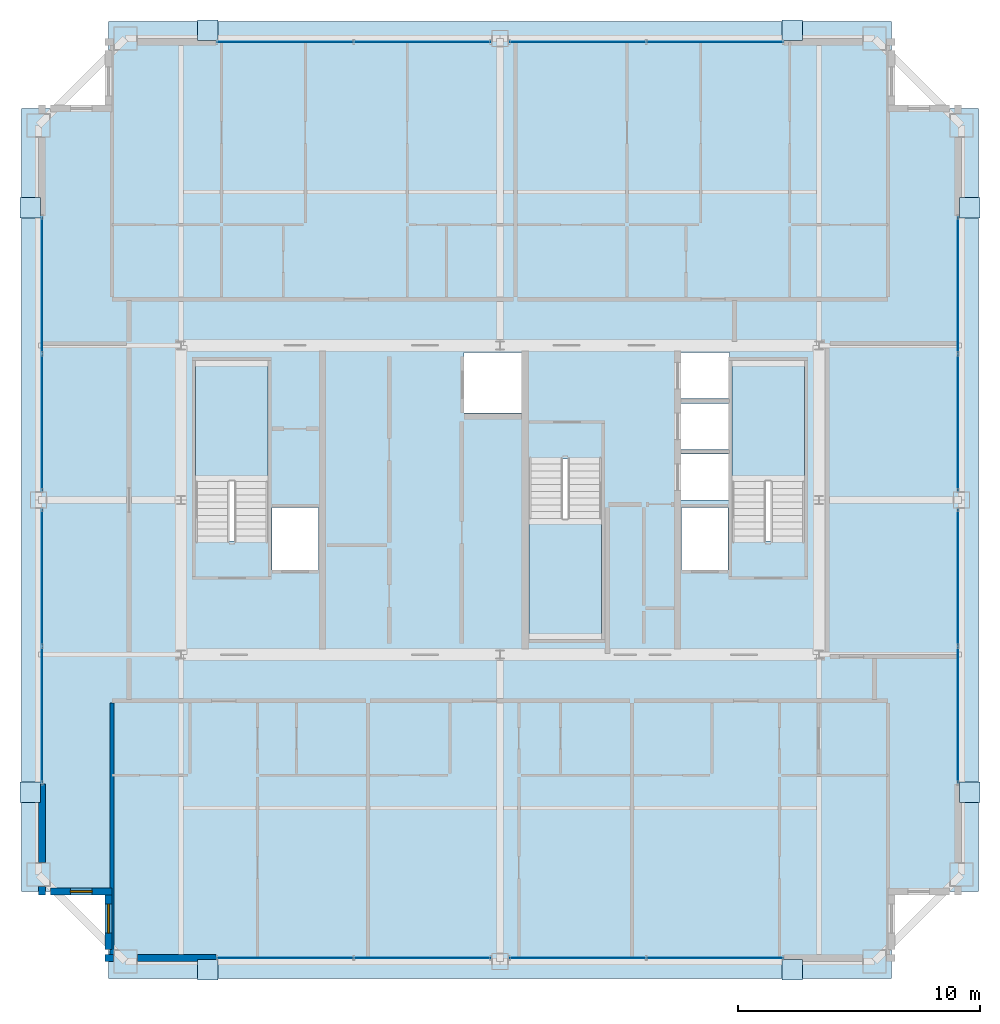
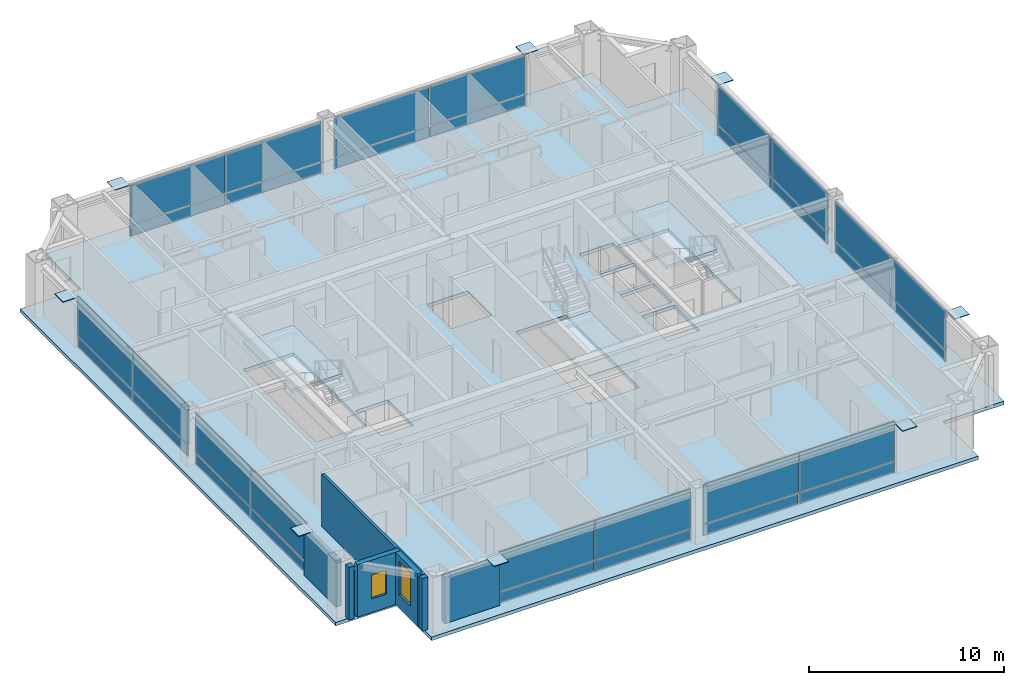
# One storey, part 29 of 35: 40 plates, 7 walls, 4 slabs, 2 windows, 2 openings, 11 elements without a shape of their own.
"""IFC4 building model written with IfcOpenShell, lengths in metres."""

from ifc_helpers import new_model, si_unit, direction, frame, frame_2d, origin, origin_2d, place, context, subcontext, project, spatial, polyline, rectangle, outline, extrude, source, transform, mapped, material, layer, layer_set, type_object, element, fill, aggregate, save


model = new_model("IFC4")

# Units and contexts
model_context = context("Model", 3, precision=1e-05, world=origin(), true_north=direction((0.0, 1.0)))
body_context = subcontext(model_context, "Body", "Model", "MODEL_VIEW")
ifc_project = project(units=[si_unit("LENGTHUNIT", "METRE"), si_unit("AREAUNIT", "SQUARE_METRE"), si_unit("VOLUMEUNIT", "CUBIC_METRE"), si_unit("PLANEANGLEUNIT", "RADIAN"), si_unit("MASSUNIT", "GRAM", prefix="KILO"), si_unit("THERMODYNAMICTEMPERATUREUNIT", "KELVIN"), si_unit("POWERUNIT", "WATT")], contexts=[model_context])

# Site, building, storey
site_placement = place(None, origin())
site = spatial("IfcSite", under=ifc_project, at=site_placement, CompositionType="ELEMENT")
building_placement = place(site_placement, origin())
building = spatial("IfcBuilding", under=site, at=building_placement, Name="Yuzanri Waterfront Tower", CompositionType="ELEMENT")
storey_placement = place(building_placement, frame((0.0, 0.0, 289.10009765625)))
storey = spatial("IfcBuildingStorey", under=building, at=storey_placement, Name="L77", CompositionType="ELEMENT", Elevation=289.10009765625)

# Stair, slab
ifc_material_1 = material(Name="Concrete C40", Category="concrete")
stair_type = type_object("IfcStairType", Name="Concrete C40 Core Dogleg Exit Stair", PredefinedType="HALF_TURN_STAIR", material=ifc_material_1)
stair_1_placement = place(storey_placement, origin())
stair_1 = element("IfcStair", 1, at=stair_1_placement, inside=storey, type_object=stair_type, Name="L77 Smoke-Proof Core Stair ST-01", PredefinedType="HALF_TURN_STAIR")
ifc_material_2 = material(Name="Concrete C40", Category="concrete")
ifc_layer_1 = layer(ifc_material_2, 0.179931640625)
ifc_layer_set_1 = layer_set([ifc_layer_1], Name="Concrete C40")
slab_type_1 = type_object("IfcSlabType", Name="Concrete C40 Stair Half-Landing Slab 180", PredefinedType="LANDING", material=ifc_layer_set_1)
slab_1_placement = place(storey_placement, frame((0.0, 0.0, 1.5498046875)))
slab_1 = element("IfcSlab", 2, at=slab_1_placement, type_object=slab_type_1, Name="ST-01 landing 1", PredefinedType="LANDING", context=body_context, shape_type="SweptSolid", body=[
    extrude(outline(polyline([(27.39990234375, 26.56005859375), (27.39990234375, 31.580078125), (24.39990234375, 31.580078125), (24.39990234375, 26.56005859375), (27.39990234375, 26.56005859375)])), origin(), (0.0, 0.0, 1.0), 0.2001953125),
])
aggregate(stair_1, [slab_1])

stair_2_placement = place(storey_placement, origin())
stair_2 = element("IfcStair", 3, at=stair_2_placement, inside=storey, type_object=stair_type, Name="L77 Smoke-Proof Core Stair ST-02", PredefinedType="HALF_TURN_STAIR")
slab_2_placement = place(storey_placement, frame((0.0, 0.0, 1.5498046875)))
slab_2 = element("IfcSlab", 4, at=slab_2_placement, type_object=slab_type_1, Name="ST-02 landing 1", PredefinedType="LANDING", context=body_context, shape_type="SweptSolid", body=[
    extrude(outline(polyline([(49.60009765625, 26.56005859375), (49.60009765625, 31.580078125), (46.60009765625, 31.580078125), (46.60009765625, 26.56005859375), (49.60009765625, 26.56005859375)])), origin(), (0.0, 0.0, 1.0), 0.2001953125),
])
aggregate(stair_2, [slab_2])

stair_3_placement = place(storey_placement, origin())
stair_3 = element("IfcStair", 5, at=stair_3_placement, inside=storey, type_object=stair_type, Name="L77 Smoke-Proof Core Stair ST-03", PredefinedType="HALF_TURN_STAIR")
slab_3_placement = place(storey_placement, frame((0.0, 0.0, 1.5498046875)))
slab_3 = element("IfcSlab", 6, at=slab_3_placement, type_object=slab_type_1, Name="ST-03 landing 1", PredefinedType="LANDING", context=body_context, shape_type="SweptSolid", body=[
    extrude(outline(polyline([(38.199951171875, 25.0400390625), (38.199951171875, 20.02001953125), (41.199951171875, 20.02001953125), (41.199951171875, 25.0400390625), (38.199951171875, 25.0400390625)])), origin(), (0.0, 0.0, 1.0), 0.2001953125),
])
aggregate(stair_3, [slab_3])

# Slab
ifc_material_3 = material(Name="Concrete C40", Category="concrete")
ifc_layer_2 = layer(ifc_material_3, 0.219970703125)
ifc_layer_set_2 = layer_set([ifc_layer_2], Name="Concrete C40")
slab_type_2 = type_object("IfcSlabType", Name="Concrete C40 Tower Typical Structural Floor Slab 220", PredefinedType="FLOOR", material=ifc_layer_set_2)
slab_4_placement = place(storey_placement, frame((0.0, 0.0, -0.22021484375)))
element("IfcSlab", 7, at=slab_4_placement, inside=storey, type_object=slab_type_2, Name="L77 Main Structural Floor Slab", PredefinedType="FLOOR", context=body_context, shape_type="SweptSolid", body=[
    extrude(outline(polyline([(20.800048828125, 6.0), (53.199951171875, 6.0), (53.199951171875, 9.60009765625), (56.800048828125, 9.60009765625), (56.800048828125, 42.0), (53.199951171875, 42.0), (53.199951171875, 45.60009765625), (20.800048828125, 45.60009765625), (20.800048828125, 42.0), (17.199951171875, 42.0), (17.199951171875, 9.60009765625), (20.800048828125, 9.60009765625), (20.800048828125, 6.0)]), holes=[polyline([(27.39990234375, 24.10009765625), (27.39990234375, 31.580078125), (24.39990234375, 31.580078125), (24.39990234375, 24.10009765625), (27.39990234375, 24.10009765625)]), polyline([(49.60009765625, 24.10009765625), (49.60009765625, 31.580078125), (46.60009765625, 31.580078125), (46.60009765625, 24.10009765625), (49.60009765625, 24.10009765625)]), polyline([(38.199951171875, 27.5), (38.199951171875, 20.02001953125), (41.199951171875, 20.02001953125), (41.199951171875, 27.5), (38.199951171875, 27.5)]), polyline([(27.56005859375, 22.89990234375), (29.47998046875, 22.89990234375), (29.47998046875, 25.5), (27.56005859375, 25.5), (27.56005859375, 22.89990234375)]), polyline([(44.52001953125, 22.89990234375), (46.43994140625, 22.89990234375), (46.43994140625, 25.5), (44.52001953125, 25.5), (44.52001953125, 22.89990234375)]), polyline([(35.5, 29.39990234375), (37.89990234375, 29.39990234375), (37.89990234375, 31.89990234375), (35.5, 31.89990234375), (35.5, 29.39990234375)]), polyline([(44.5, 25.800048828125), (46.5, 25.800048828125), (46.5, 27.699951171875), (44.5, 27.699951171875), (44.5, 25.800048828125)]), polyline([(44.5, 27.89990234375), (46.5, 27.89990234375), (46.5, 29.800048828125), (44.5, 29.800048828125), (44.5, 27.89990234375)]), polyline([(44.5, 30.0), (46.5, 30.0), (46.5, 31.89990234375), (44.5, 31.89990234375), (44.5, 30.0)])]), origin(), (0.0, 0.0, 1.0), 0.22021484375),
])

# Plates
ifc_material_4 = material(Name="Steel Q420GJC", Category="steel")
ifc_layer_3 = layer(ifc_material_4, 0.0400390625)
ifc_layer_set_3 = layer_set([ifc_layer_3], Name="Steel Q420GJC")
plate_type_1 = type_object("IfcPlateType", Name="Steel Q420GJC Mega-Brace Gusset and End-Cap Plate 40", PredefinedType="SHEET", material=ifc_layer_set_3)
shared_shape_1 = source(origin(), body_context, "Body", "SweptSolid", [
    extrude(rectangle(XDim=0.85009765625, YDim=0.85009765625, at=origin_2d()), origin(), (0.0, 0.0, 1.0), 0.0400390625),
])
for number, where, z_axis, x_axis, name in (
    (8, (24.89990234375, 6.360107421875, 3.159912109375), (0.0, 0.0, 1.0), (1.0, 0.0, 0.0), "L77 Mega-Brace Apex Cap Plate S-L"),
    (9, (49.10009765625, 6.360107421875, 3.159912109375), (0.0, 0.0, 1.0), (1.0, 0.0, 0.0), "L77 Mega-Brace Apex Cap Plate S-R"),
    (10, (24.89990234375, 45.239990234375, 3.159912109375), (0.0, 0.0, 1.0), (1.0, 0.0, 0.0), "L77 Mega-Brace Apex Cap Plate N-L"),
    (11, (49.10009765625, 45.239990234375, 3.159912109375), (0.0, 0.0, 1.0), (1.0, 0.0, 0.0), "L77 Mega-Brace Apex Cap Plate N-R"),
    (12, (17.56005859375, 13.699951171875, 3.159912109375), (0.0, 0.0, 1.0), (1.0, 0.0, 0.0), "L77 Mega-Brace Apex Cap Plate W-L"),
    (13, (17.56005859375, 37.89990234375, 3.159912109375), (0.0, 0.0, 1.0), (1.0, 0.0, 0.0), "L77 Mega-Brace Apex Cap Plate W-R"),
    (14, (56.43994140625, 13.699951171875, 3.159912109375), (0.0, 0.0, 1.0), (1.0, 0.0, 0.0), "L77 Mega-Brace Apex Cap Plate E-L"),
    (15, (56.43994140625, 37.89990234375, 3.159912109375), (0.0, 0.0, 1.0), (1.0, 0.0, 0.0), "L77 Mega-Brace Apex Cap Plate E-R"),
):
    element("IfcPlate", number, at=place(storey_placement, frame(where, z_axis=z_axis, x_axis=x_axis)), inside=storey, type_object=plate_type_1, Name=name, PredefinedType="SHEET", context=body_context, shape_type="MappedRepresentation", body=[
        mapped(shared_shape_1, transform((0.0, 0.0, 0.0), scale=1.0)),
    ])

# Curtain wall, plates
ifc_material_5 = material(Name="Anodized Architectural Bronze", Category="metal")
ifc_layer_4 = layer(ifc_material_5, 0.159912109375)
ifc_layer_set_4 = layer_set([ifc_layer_4], Name="Anodized Architectural Bronze")
curtain_wall_type = type_object("IfcCurtainWallType", Name="Anodized Bronze High-Rise Penthouse High-Wind Unitized Curtain Wall 6900", PredefinedType="NOTDEFINED", material=ifc_layer_set_4)
curtain_wall_1_placement = place(storey_placement, origin())
curtain_wall_1 = element("IfcCurtainWall", 16, at=curtain_wall_1_placement, inside=storey, type_object=curtain_wall_type, Name="L77 Curtain Wall CW-L77-SL", PredefinedType="NOTDEFINED")
ifc_material_6 = material(Name="Anodized Architectural Bronze", Category="metal")
ifc_layer_5 = layer(ifc_material_6, 0.028076171875)
ifc_layer_set_5 = layer_set([ifc_layer_5], Name="Anodized Architectural Bronze")
plate_type_2 = type_object("IfcPlateType", Name="Bronze Insulated Spandrel Shadow-Box Panel 28", PredefinedType="CURTAIN_PANEL", material=ifc_layer_set_5)
shared_shape_2 = source(origin(), body_context, "Body", "SweptSolid", [
    extrude(rectangle(XDim=5.6201171875, YDim=0.028076171875, at=origin_2d()), origin(), (0.0, 0.0, 1.0), 0.674072265625),
])
plate_1_placement = place(storey_placement, frame((28.10009765625, 6.85009765625, 0.0498046875), z_axis=(0.0, 0.0, 1.0), x_axis=(1.0, 0.0, 0.0)))
plate_1 = element("IfcPlate", 17, at=plate_1_placement, type_object=plate_type_2, Name="CW-L77-SL Spandrel Panel 01", PredefinedType="CURTAIN_PANEL", context=body_context, shape_type="MappedRepresentation", body=[
    mapped(shared_shape_2, transform((0.0, 0.0, 0.0), scale=1.0)),
])
plate_2_placement = place(storey_placement, frame((33.800048828125, 6.85009765625, 0.0498046875), z_axis=(0.0, 0.0, 1.0), x_axis=(1.0, 0.0, 0.0)))
plate_2 = element("IfcPlate", 18, at=plate_2_placement, type_object=plate_type_2, Name="CW-L77-SL Spandrel Panel 02", PredefinedType="CURTAIN_PANEL", context=body_context, shape_type="MappedRepresentation", body=[
    mapped(shared_shape_2, transform((0.0, 0.0, 0.0), scale=1.0)),
])

curtain_wall_2_placement = place(storey_placement, origin())
curtain_wall_2 = element("IfcCurtainWall", 19, at=curtain_wall_2_placement, inside=storey, type_object=curtain_wall_type, Name="L77 Curtain Wall CW-L77-SR", PredefinedType="NOTDEFINED")
plate_3_placement = place(storey_placement, frame((40.199951171875, 6.85009765625, 0.0498046875), z_axis=(0.0, 0.0, 1.0), x_axis=(1.0, 0.0, 0.0)))
plate_3 = element("IfcPlate", 20, at=plate_3_placement, type_object=plate_type_2, Name="CW-L77-SR Spandrel Panel 01", PredefinedType="CURTAIN_PANEL", context=body_context, shape_type="MappedRepresentation", body=[
    mapped(shared_shape_2, transform((0.0, 0.0, 0.0), scale=1.0)),
])
plate_4_placement = place(storey_placement, frame((45.89990234375, 6.85009765625, 0.0498046875), z_axis=(0.0, 0.0, 1.0), x_axis=(1.0, 0.0, 0.0)))
plate_4 = element("IfcPlate", 21, at=plate_4_placement, type_object=plate_type_2, Name="CW-L77-SR Spandrel Panel 02", PredefinedType="CURTAIN_PANEL", context=body_context, shape_type="MappedRepresentation", body=[
    mapped(shared_shape_2, transform((0.0, 0.0, 0.0), scale=1.0)),
])

curtain_wall_3_placement = place(storey_placement, origin())
curtain_wall_3 = element("IfcCurtainWall", 22, at=curtain_wall_3_placement, inside=storey, type_object=curtain_wall_type, Name="L77 Curtain Wall CW-L77-NL", PredefinedType="NOTDEFINED")
plate_5_placement = place(storey_placement, frame((28.10009765625, 44.75, 0.0498046875), z_axis=(0.0, 0.0, 1.0), x_axis=(1.0, 0.0, 0.0)))
plate_5 = element("IfcPlate", 23, at=plate_5_placement, type_object=plate_type_2, Name="CW-L77-NL Spandrel Panel 01", PredefinedType="CURTAIN_PANEL", context=body_context, shape_type="MappedRepresentation", body=[
    mapped(shared_shape_2, transform((0.0, 0.0, 0.0), scale=1.0)),
])
plate_6_placement = place(storey_placement, frame((33.800048828125, 44.75, 0.0498046875), z_axis=(0.0, 0.0, 1.0), x_axis=(1.0, 0.0, 0.0)))
plate_6 = element("IfcPlate", 24, at=plate_6_placement, type_object=plate_type_2, Name="CW-L77-NL Spandrel Panel 02", PredefinedType="CURTAIN_PANEL", context=body_context, shape_type="MappedRepresentation", body=[
    mapped(shared_shape_2, transform((0.0, 0.0, 0.0), scale=1.0)),
])

curtain_wall_4_placement = place(storey_placement, origin())
curtain_wall_4 = element("IfcCurtainWall", 25, at=curtain_wall_4_placement, inside=storey, type_object=curtain_wall_type, Name="L77 Curtain Wall CW-L77-NR", PredefinedType="NOTDEFINED")
plate_7_placement = place(storey_placement, frame((40.199951171875, 44.75, 0.0498046875), z_axis=(0.0, 0.0, 1.0), x_axis=(1.0, 0.0, 0.0)))
plate_7 = element("IfcPlate", 26, at=plate_7_placement, type_object=plate_type_2, Name="CW-L77-NR Spandrel Panel 01", PredefinedType="CURTAIN_PANEL", context=body_context, shape_type="MappedRepresentation", body=[
    mapped(shared_shape_2, transform((0.0, 0.0, 0.0), scale=1.0)),
])
plate_8_placement = place(storey_placement, frame((45.89990234375, 44.75, 0.0498046875), z_axis=(0.0, 0.0, 1.0), x_axis=(1.0, 0.0, 0.0)))
plate_8 = element("IfcPlate", 27, at=plate_8_placement, type_object=plate_type_2, Name="CW-L77-NR Spandrel Panel 02", PredefinedType="CURTAIN_PANEL", context=body_context, shape_type="MappedRepresentation", body=[
    mapped(shared_shape_2, transform((0.0, 0.0, 0.0), scale=1.0)),
])

curtain_wall_5_placement = place(storey_placement, origin())
curtain_wall_5 = element("IfcCurtainWall", 28, at=curtain_wall_5_placement, inside=storey, type_object=curtain_wall_type, Name="L77 Curtain Wall CW-L77-WL", PredefinedType="NOTDEFINED")
plate_9_placement = place(storey_placement, frame((18.050048828125, 16.89990234375, 0.0498046875), z_axis=(0.0, 0.0, 1.0), x_axis=(0.0, 1.0, 0.0)))
plate_9 = element("IfcPlate", 29, at=plate_9_placement, type_object=plate_type_2, Name="CW-L77-WL Spandrel Panel 01", PredefinedType="CURTAIN_PANEL", context=body_context, shape_type="MappedRepresentation", body=[
    mapped(shared_shape_2, transform((0.0, 0.0, 0.0), scale=1.0)),
])
plate_10_placement = place(storey_placement, frame((18.050048828125, 22.60009765625, 0.0498046875), z_axis=(0.0, 0.0, 1.0), x_axis=(0.0, 1.0, 0.0)))
plate_10 = element("IfcPlate", 30, at=plate_10_placement, type_object=plate_type_2, Name="CW-L77-WL Spandrel Panel 02", PredefinedType="CURTAIN_PANEL", context=body_context, shape_type="MappedRepresentation", body=[
    mapped(shared_shape_2, transform((0.0, 0.0, 0.0), scale=1.0)),
])

curtain_wall_6_placement = place(storey_placement, origin())
curtain_wall_6 = element("IfcCurtainWall", 31, at=curtain_wall_6_placement, inside=storey, type_object=curtain_wall_type, Name="L77 Curtain Wall CW-L77-WR", PredefinedType="NOTDEFINED")
plate_11_placement = place(storey_placement, frame((18.050048828125, 29.0, 0.0498046875), z_axis=(0.0, 0.0, 1.0), x_axis=(0.0, 1.0, 0.0)))
plate_11 = element("IfcPlate", 32, at=plate_11_placement, type_object=plate_type_2, Name="CW-L77-WR Spandrel Panel 01", PredefinedType="CURTAIN_PANEL", context=body_context, shape_type="MappedRepresentation", body=[
    mapped(shared_shape_2, transform((0.0, 0.0, 0.0), scale=1.0)),
])
plate_12_placement = place(storey_placement, frame((18.050048828125, 34.699951171875, 0.0498046875), z_axis=(0.0, 0.0, 1.0), x_axis=(0.0, 1.0, 0.0)))
plate_12 = element("IfcPlate", 33, at=plate_12_placement, type_object=plate_type_2, Name="CW-L77-WR Spandrel Panel 02", PredefinedType="CURTAIN_PANEL", context=body_context, shape_type="MappedRepresentation", body=[
    mapped(shared_shape_2, transform((0.0, 0.0, 0.0), scale=1.0)),
])

curtain_wall_7_placement = place(storey_placement, origin())
curtain_wall_7 = element("IfcCurtainWall", 34, at=curtain_wall_7_placement, inside=storey, type_object=curtain_wall_type, Name="L77 Curtain Wall CW-L77-EL", PredefinedType="NOTDEFINED")
plate_13_placement = place(storey_placement, frame((55.949951171875, 16.89990234375, 0.0498046875), z_axis=(0.0, 0.0, 1.0), x_axis=(0.0, 1.0, 0.0)))
plate_13 = element("IfcPlate", 35, at=plate_13_placement, type_object=plate_type_2, Name="CW-L77-EL Spandrel Panel 01", PredefinedType="CURTAIN_PANEL", context=body_context, shape_type="MappedRepresentation", body=[
    mapped(shared_shape_2, transform((0.0, 0.0, 0.0), scale=1.0)),
])
plate_14_placement = place(storey_placement, frame((55.949951171875, 22.60009765625, 0.0498046875), z_axis=(0.0, 0.0, 1.0), x_axis=(0.0, 1.0, 0.0)))
plate_14 = element("IfcPlate", 36, at=plate_14_placement, type_object=plate_type_2, Name="CW-L77-EL Spandrel Panel 02", PredefinedType="CURTAIN_PANEL", context=body_context, shape_type="MappedRepresentation", body=[
    mapped(shared_shape_2, transform((0.0, 0.0, 0.0), scale=1.0)),
])

curtain_wall_8_placement = place(storey_placement, origin())
curtain_wall_8 = element("IfcCurtainWall", 37, at=curtain_wall_8_placement, inside=storey, type_object=curtain_wall_type, Name="L77 Curtain Wall CW-L77-ER", PredefinedType="NOTDEFINED")
plate_15_placement = place(storey_placement, frame((55.949951171875, 29.0, 0.0498046875), z_axis=(0.0, 0.0, 1.0), x_axis=(0.0, 1.0, 0.0)))
plate_15 = element("IfcPlate", 38, at=plate_15_placement, type_object=plate_type_2, Name="CW-L77-ER Spandrel Panel 01", PredefinedType="CURTAIN_PANEL", context=body_context, shape_type="MappedRepresentation", body=[
    mapped(shared_shape_2, transform((0.0, 0.0, 0.0), scale=1.0)),
])
plate_16_placement = place(storey_placement, frame((55.949951171875, 34.699951171875, 0.0498046875), z_axis=(0.0, 0.0, 1.0), x_axis=(0.0, 1.0, 0.0)))
plate_16 = element("IfcPlate", 39, at=plate_16_placement, type_object=plate_type_2, Name="CW-L77-ER Spandrel Panel 02", PredefinedType="CURTAIN_PANEL", context=body_context, shape_type="MappedRepresentation", body=[
    mapped(shared_shape_2, transform((0.0, 0.0, 0.0), scale=1.0)),
])

# Plate
ifc_material_7 = material(Name="Triple Low-E Laminated Insulated Glass", Category="glass")
ifc_layer_6 = layer(ifc_material_7, 0.0439453125)
ifc_layer_set_6 = layer_set([ifc_layer_6], Name="Triple Low-E Laminated Insulated Glass")
plate_type_3 = type_object("IfcPlateType", Name="Triple Glazed Acoustic Vision Glass Panel 44", PredefinedType="CURTAIN_PANEL", material=ifc_layer_set_6)
shared_shape_3 = source(origin(), body_context, "Body", "SweptSolid", [
    extrude(rectangle(XDim=5.6201171875, YDim=0.0439453125, at=origin_2d()), origin(), (0.0, 0.0, 1.0), 2.446044921875),
])
plate_17_placement = place(storey_placement, frame((28.10009765625, 6.85009765625, 0.78369140625), z_axis=(0.0, 0.0, 1.0), x_axis=(1.0, 0.0, 0.0)))
plate_17 = element("IfcPlate", 40, at=plate_17_placement, type_object=plate_type_3, Name="CW-L77-SL Vision Glass Panel 01", PredefinedType="CURTAIN_PANEL", context=body_context, shape_type="MappedRepresentation", body=[
    mapped(shared_shape_3, transform((0.0, 0.0, 0.0), scale=1.0)),
])

plate_18_placement = place(storey_placement, frame((33.800048828125, 6.85009765625, 0.78369140625), z_axis=(0.0, 0.0, 1.0), x_axis=(1.0, 0.0, 0.0)))
plate_18 = element("IfcPlate", 41, at=plate_18_placement, type_object=plate_type_3, Name="CW-L77-SL Vision Glass Panel 02", PredefinedType="CURTAIN_PANEL", context=body_context, shape_type="MappedRepresentation", body=[
    mapped(shared_shape_3, transform((0.0, 0.0, 0.0), scale=1.0)),
])

aggregate(curtain_wall_1, [plate_1, plate_17, plate_2, plate_18])

plate_19_placement = place(storey_placement, frame((40.199951171875, 6.85009765625, 0.78369140625), z_axis=(0.0, 0.0, 1.0), x_axis=(1.0, 0.0, 0.0)))
plate_19 = element("IfcPlate", 42, at=plate_19_placement, type_object=plate_type_3, Name="CW-L77-SR Vision Glass Panel 01", PredefinedType="CURTAIN_PANEL", context=body_context, shape_type="MappedRepresentation", body=[
    mapped(shared_shape_3, transform((0.0, 0.0, 0.0), scale=1.0)),
])

plate_20_placement = place(storey_placement, frame((45.89990234375, 6.85009765625, 0.78369140625), z_axis=(0.0, 0.0, 1.0), x_axis=(1.0, 0.0, 0.0)))
plate_20 = element("IfcPlate", 43, at=plate_20_placement, type_object=plate_type_3, Name="CW-L77-SR Vision Glass Panel 02", PredefinedType="CURTAIN_PANEL", context=body_context, shape_type="MappedRepresentation", body=[
    mapped(shared_shape_3, transform((0.0, 0.0, 0.0), scale=1.0)),
])

aggregate(curtain_wall_2, [plate_3, plate_19, plate_4, plate_20])

plate_21_placement = place(storey_placement, frame((28.10009765625, 44.75, 0.78369140625), z_axis=(0.0, 0.0, 1.0), x_axis=(1.0, 0.0, 0.0)))
plate_21 = element("IfcPlate", 44, at=plate_21_placement, type_object=plate_type_3, Name="CW-L77-NL Vision Glass Panel 01", PredefinedType="CURTAIN_PANEL", context=body_context, shape_type="MappedRepresentation", body=[
    mapped(shared_shape_3, transform((0.0, 0.0, 0.0), scale=1.0)),
])

plate_22_placement = place(storey_placement, frame((33.800048828125, 44.75, 0.78369140625), z_axis=(0.0, 0.0, 1.0), x_axis=(1.0, 0.0, 0.0)))
plate_22 = element("IfcPlate", 45, at=plate_22_placement, type_object=plate_type_3, Name="CW-L77-NL Vision Glass Panel 02", PredefinedType="CURTAIN_PANEL", context=body_context, shape_type="MappedRepresentation", body=[
    mapped(shared_shape_3, transform((0.0, 0.0, 0.0), scale=1.0)),
])

aggregate(curtain_wall_3, [plate_5, plate_21, plate_6, plate_22])

plate_23_placement = place(storey_placement, frame((40.199951171875, 44.75, 0.78369140625), z_axis=(0.0, 0.0, 1.0), x_axis=(1.0, 0.0, 0.0)))
plate_23 = element("IfcPlate", 46, at=plate_23_placement, type_object=plate_type_3, Name="CW-L77-NR Vision Glass Panel 01", PredefinedType="CURTAIN_PANEL", context=body_context, shape_type="MappedRepresentation", body=[
    mapped(shared_shape_3, transform((0.0, 0.0, 0.0), scale=1.0)),
])

plate_24_placement = place(storey_placement, frame((45.89990234375, 44.75, 0.78369140625), z_axis=(0.0, 0.0, 1.0), x_axis=(1.0, 0.0, 0.0)))
plate_24 = element("IfcPlate", 47, at=plate_24_placement, type_object=plate_type_3, Name="CW-L77-NR Vision Glass Panel 02", PredefinedType="CURTAIN_PANEL", context=body_context, shape_type="MappedRepresentation", body=[
    mapped(shared_shape_3, transform((0.0, 0.0, 0.0), scale=1.0)),
])

aggregate(curtain_wall_4, [plate_7, plate_23, plate_8, plate_24])

plate_25_placement = place(storey_placement, frame((18.050048828125, 16.89990234375, 0.78369140625), z_axis=(0.0, 0.0, 1.0), x_axis=(0.0, 1.0, 0.0)))
plate_25 = element("IfcPlate", 48, at=plate_25_placement, type_object=plate_type_3, Name="CW-L77-WL Vision Glass Panel 01", PredefinedType="CURTAIN_PANEL", context=body_context, shape_type="MappedRepresentation", body=[
    mapped(shared_shape_3, transform((0.0, 0.0, 0.0), scale=1.0)),
])

plate_26_placement = place(storey_placement, frame((18.050048828125, 22.60009765625, 0.78369140625), z_axis=(0.0, 0.0, 1.0), x_axis=(0.0, 1.0, 0.0)))
plate_26 = element("IfcPlate", 49, at=plate_26_placement, type_object=plate_type_3, Name="CW-L77-WL Vision Glass Panel 02", PredefinedType="CURTAIN_PANEL", context=body_context, shape_type="MappedRepresentation", body=[
    mapped(shared_shape_3, transform((0.0, 0.0, 0.0), scale=1.0)),
])

aggregate(curtain_wall_5, [plate_9, plate_25, plate_10, plate_26])

plate_27_placement = place(storey_placement, frame((18.050048828125, 29.0, 0.78369140625), z_axis=(0.0, 0.0, 1.0), x_axis=(0.0, 1.0, 0.0)))
plate_27 = element("IfcPlate", 50, at=plate_27_placement, type_object=plate_type_3, Name="CW-L77-WR Vision Glass Panel 01", PredefinedType="CURTAIN_PANEL", context=body_context, shape_type="MappedRepresentation", body=[
    mapped(shared_shape_3, transform((0.0, 0.0, 0.0), scale=1.0)),
])

plate_28_placement = place(storey_placement, frame((18.050048828125, 34.699951171875, 0.78369140625), z_axis=(0.0, 0.0, 1.0), x_axis=(0.0, 1.0, 0.0)))
plate_28 = element("IfcPlate", 51, at=plate_28_placement, type_object=plate_type_3, Name="CW-L77-WR Vision Glass Panel 02", PredefinedType="CURTAIN_PANEL", context=body_context, shape_type="MappedRepresentation", body=[
    mapped(shared_shape_3, transform((0.0, 0.0, 0.0), scale=1.0)),
])

aggregate(curtain_wall_6, [plate_11, plate_27, plate_12, plate_28])

plate_29_placement = place(storey_placement, frame((55.949951171875, 16.89990234375, 0.78369140625), z_axis=(0.0, 0.0, 1.0), x_axis=(0.0, 1.0, 0.0)))
plate_29 = element("IfcPlate", 52, at=plate_29_placement, type_object=plate_type_3, Name="CW-L77-EL Vision Glass Panel 01", PredefinedType="CURTAIN_PANEL", context=body_context, shape_type="MappedRepresentation", body=[
    mapped(shared_shape_3, transform((0.0, 0.0, 0.0), scale=1.0)),
])

plate_30_placement = place(storey_placement, frame((55.949951171875, 22.60009765625, 0.78369140625), z_axis=(0.0, 0.0, 1.0), x_axis=(0.0, 1.0, 0.0)))
plate_30 = element("IfcPlate", 53, at=plate_30_placement, type_object=plate_type_3, Name="CW-L77-EL Vision Glass Panel 02", PredefinedType="CURTAIN_PANEL", context=body_context, shape_type="MappedRepresentation", body=[
    mapped(shared_shape_3, transform((0.0, 0.0, 0.0), scale=1.0)),
])

aggregate(curtain_wall_7, [plate_13, plate_29, plate_14, plate_30])

plate_31_placement = place(storey_placement, frame((55.949951171875, 29.0, 0.78369140625), z_axis=(0.0, 0.0, 1.0), x_axis=(0.0, 1.0, 0.0)))
plate_31 = element("IfcPlate", 54, at=plate_31_placement, type_object=plate_type_3, Name="CW-L77-ER Vision Glass Panel 01", PredefinedType="CURTAIN_PANEL", context=body_context, shape_type="MappedRepresentation", body=[
    mapped(shared_shape_3, transform((0.0, 0.0, 0.0), scale=1.0)),
])

plate_32_placement = place(storey_placement, frame((55.949951171875, 34.699951171875, 0.78369140625), z_axis=(0.0, 0.0, 1.0), x_axis=(0.0, 1.0, 0.0)))
plate_32 = element("IfcPlate", 55, at=plate_32_placement, type_object=plate_type_3, Name="CW-L77-ER Vision Glass Panel 02", PredefinedType="CURTAIN_PANEL", context=body_context, shape_type="MappedRepresentation", body=[
    mapped(shared_shape_3, transform((0.0, 0.0, 0.0), scale=1.0)),
])

aggregate(curtain_wall_8, [plate_15, plate_31, plate_16, plate_32])

# Wall, opening, window
ifc_material_8 = material(Name="Honed Chongqing Dark Basalt Stone", Category="masonry")
ifc_layer_7 = layer(ifc_material_8, 0.300048828125)
ifc_layer_set_7 = layer_set([ifc_layer_7], Name="Honed Chongqing Dark Basalt Stone")
wall_type_1 = type_object("IfcWallType", Name="Bronze Rainscreen Insulated Spandrel Portal Wall 300", PredefinedType="SOLIDWALL", material=ifc_layer_set_7)
wall_1_placement = place(storey_placement, frame((18.39990234375, 9.60009765625, 0.0), z_axis=(0.0, 0.0, 1.0), x_axis=(1.0, 0.0, 0.0)))
wall_1 = element("IfcWall", 56, at=wall_1_placement, inside=storey, type_object=wall_type_1, Name="L77 Notched Corner Masonry Wall SW-X", PredefinedType="SOLIDWALL", context=body_context, shape_type="SweptSolid", body=[
    extrude(rectangle(XDim=2.550048828125, YDim=0.300048828125, at=frame_2d((1.27490234375, 0.0))), origin(), (0.0, 0.0, 1.0), 3.27978515625),
])
opening_1_placement = place(wall_1_placement, frame((0.824951171875, 0.0, 0.85009765625)))
opening_1 = element("IfcOpeningElement", 57, at=opening_1_placement, cuts=wall_1, Name="Opening WN-05", PredefinedType="OPENING", context=body_context, shape_type="SweptSolid", body=[
    extrude(rectangle(XDim=0.89990234375, YDim=1.5, at=frame_2d((0.449951171875, 0.75))), frame((0.0, 0.1650390625, 0.0), z_axis=(0.0, -1.0, 0.0), x_axis=(1.0, 0.0, 0.0)), (0.0, 0.0, 1.0), 0.329833984375),
])
ifc_material_9 = material(Name="Double-Silver Low-E Insulated Glass", Category="glass")
window_type_1 = type_object("IfcWindowType", Name="Anodized Bronze Service and Stairwell Smoke-Vent Window 900x1500", PartitioningType="SINGLE_PANEL", PredefinedType="WINDOW", material=ifc_material_9)
shared_shape_4 = source(origin(), body_context, "Body", "SweptSolid", [
    extrude(rectangle(XDim=0.89990234375, YDim=1.5, at=frame_2d((0.449951171875, 0.75))), frame((0.0, 0.030029296875, 0.0), z_axis=(0.0, -1.0, 0.0), x_axis=(1.0, 0.0, 0.0)), (0.0, 0.0, 1.0), 0.06005859375),
])
window_1_placement = place(opening_1_placement, origin())
window_1 = element("IfcWindow", 58, at=window_1_placement, inside=storey, type_object=window_type_1, Name="L77 Notched Corner Window SW-X", OverallHeight=1.5, OverallWidth=0.89990234375, PartitioningType="SINGLE_PANEL", PredefinedType="WINDOW", context=body_context, shape_type="MappedRepresentation", body=[
    mapped(shared_shape_4, transform((0.0, 0.0, 0.0), scale=1.0)),
])
fill(opening_1, window_1)

wall_2_placement = place(storey_placement, frame((20.800048828125, 9.75, 0.0), z_axis=(0.0, 0.0, 1.0), x_axis=(0.0, -1.0, 0.0)))
wall_2 = element("IfcWall", 59, at=wall_2_placement, inside=storey, type_object=wall_type_1, Name="L77 Notched Corner Masonry Wall SW-Y", PredefinedType="SOLIDWALL", context=body_context, shape_type="SweptSolid", body=[
    extrude(rectangle(XDim=2.550048828125, YDim=0.300048828125, at=frame_2d((1.27490234375, 0.0))), origin(), (0.0, 0.0, 1.0), 3.27978515625),
])
opening_2_placement = place(wall_2_placement, frame((0.675048828125, 0.0, 0.85009765625)))
opening_2 = element("IfcOpeningElement", 60, at=opening_2_placement, cuts=wall_2, Name="Opening WN-02", PredefinedType="OPENING", context=body_context, shape_type="SweptSolid", body=[
    extrude(rectangle(XDim=1.199951171875, YDim=2.10009765625, at=frame_2d((0.60009765625, 1.050048828125))), frame((0.0, 0.1650390625, 0.0), z_axis=(0.0, -1.0, 0.0), x_axis=(1.0, 0.0, 0.0)), (0.0, 0.0, 1.0), 0.329833984375),
])
ifc_material_10 = material(Name="Double-Silver Low-E Insulated Glass", Category="glass")
window_type_2 = type_object("IfcWindowType", Name="Anodized Bronze Notched Corner Deep-Set Slot Window 1200x2100", PartitioningType="SINGLE_PANEL", PredefinedType="WINDOW", material=ifc_material_10)
shared_shape_5 = source(origin(), body_context, "Body", "SweptSolid", [
    extrude(rectangle(XDim=1.199951171875, YDim=2.10009765625, at=frame_2d((0.60009765625, 1.050048828125))), frame((0.0, 0.030029296875, 0.0), z_axis=(0.0, -1.0, 0.0), x_axis=(1.0, 0.0, 0.0)), (0.0, 0.0, 1.0), 0.06005859375),
])
window_2_placement = place(opening_2_placement, origin())
window_2 = element("IfcWindow", 61, at=window_2_placement, inside=storey, type_object=window_type_2, Name="L77 Notched Corner Window SW-Y", OverallHeight=2.10009765625, OverallWidth=1.199951171875, PartitioningType="SINGLE_PANEL", PredefinedType="WINDOW", context=body_context, shape_type="MappedRepresentation", body=[
    mapped(shared_shape_5, transform((0.0, 0.0, 0.0), scale=1.0)),
])
fill(opening_2, window_2)

# Walls
shared_shape_6 = source(origin(), body_context, "Body", "SweptSolid", [
    extrude(rectangle(XDim=0.35009765625, YDim=0.300048828125, at=frame_2d((0.175048828125, 0.0))), origin(), (0.0, 0.0, 1.0), 3.27978515625),
])
for number, where, z_axis, x_axis, name in (
    (62, (20.64990234375, 6.85009765625, 0.0), (0.0, 0.0, 1.0), (1.0, 0.0, 0.0), "L77 Corner Column Shoulder Return CSW"),
    (63, (18.050048828125, 9.449951171875, 0.0), (0.0, 0.0, 1.0), (0.0, 1.0, 0.0), "L77 Corner Column Shoulder Return CWS"),
):
    element("IfcWall", number, at=place(storey_placement, frame(where, z_axis=z_axis, x_axis=x_axis)), inside=storey, type_object=wall_type_1, Name=name, PredefinedType="SOLIDWALL", context=body_context, shape_type="MappedRepresentation", body=[
        mapped(shared_shape_6, transform((0.0, 0.0, 0.0), scale=1.0)),
    ])
shared_shape_7 = source(origin(), body_context, "Body", "SweptSolid", [
    extrude(rectangle(XDim=3.25, YDim=0.300048828125, at=frame_2d((1.625, 0.0))), origin(), (0.0, 0.0, 1.0), 2.885009765625),
])
for number, where, z_axis, x_axis, name in (
    (64, (22.0, 6.85009765625, 0.0), (0.0, 0.0, 1.0), (1.0, 0.0, 0.0), "L77 S Left Braced Masonry Shoulder"),
    (65, (18.050048828125, 10.800048828125, 0.0), (0.0, 0.0, 1.0), (0.0, 1.0, 0.0), "L77 W Left Braced Masonry Shoulder"),
):
    element("IfcWall", number, at=place(storey_placement, frame(where, z_axis=z_axis, x_axis=x_axis)), inside=storey, type_object=wall_type_1, Name=name, PredefinedType="SOLIDWALL", context=body_context, shape_type="MappedRepresentation", body=[
        mapped(shared_shape_7, transform((0.0, 0.0, 0.0), scale=1.0)),
    ])
ifc_material_11 = material(Name="Gypsum Fireboard Acoustic Stud Wall", Category="gypsum")
ifc_layer_8 = layer(ifc_material_11, 0.159912109375)
ifc_layer_set_8 = layer_set([ifc_layer_8], Name="Gypsum Fireboard Acoustic Stud Wall")
wall_type_2 = type_object("IfcWallType", Name="Acoustic Suite Demising Partition 160", PredefinedType="PARTITIONING", material=ifc_layer_set_8)
shared_shape_8 = source(origin(), body_context, "Body", "SweptSolid", [
    extrude(rectangle(XDim=10.389892578125, YDim=0.159912109375, at=frame_2d((5.19482421875, 0.0))), origin(), (0.0, 0.0, 1.0), 3.27978515625),
])
wall_3_placement = place(storey_placement, frame((20.949951171875, 7.0, 0.0), z_axis=(0.0, 0.0, 1.0), x_axis=(0.0, 1.0, 0.0)))
element("IfcWall", 66, at=wall_3_placement, inside=storey, type_object=wall_type_2, Name="L77 South Band West End Wall", PredefinedType="PARTITIONING", context=body_context, shape_type="MappedRepresentation", body=[
    mapped(shared_shape_8, transform((0.0, 0.0, 0.0), scale=1.0)),
])

save(model, "model.ifc")
